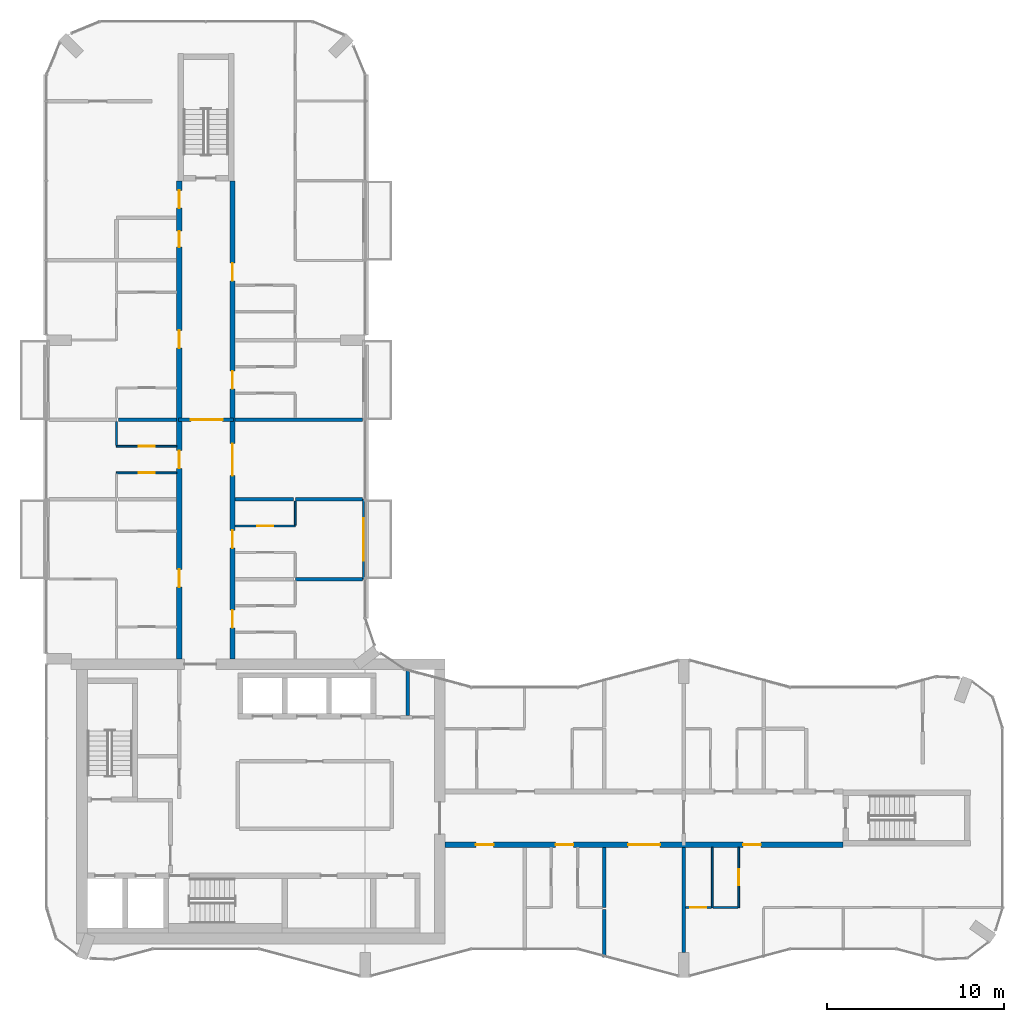
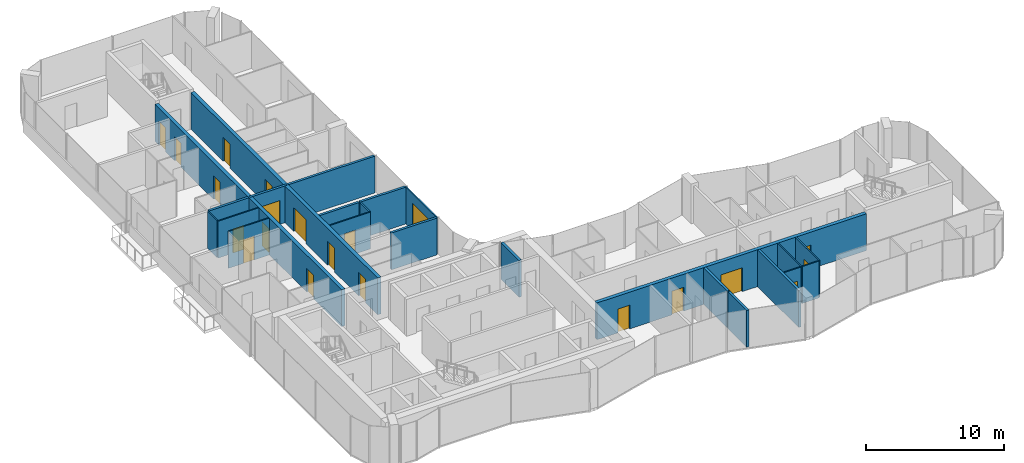
# One storey, part 11 of 17: 23 walls, 21 doors, 21 openings.
"""IFC4 building model written with IfcOpenShell, lengths in metres."""

from ifc_helpers import new_model, si_unit, direction, frame, frame_2d, origin, place, context, subcontext, project, spatial, rectangle, extrude, material, layer, layer_set, type_object, element, fill, save


model = new_model("IFC4")

# Units and contexts
model_context = context("Model", 3, precision=1e-05, world=origin(), true_north=direction((0.0, 1.0)))
body_context = subcontext(model_context, "Body", "Model", "MODEL_VIEW")
ifc_project = project(units=[si_unit("LENGTHUNIT", "METRE"), si_unit("AREAUNIT", "SQUARE_METRE"), si_unit("VOLUMEUNIT", "CUBIC_METRE"), si_unit("PLANEANGLEUNIT", "RADIAN"), si_unit("MASSUNIT", "GRAM", prefix="KILO")], contexts=[model_context])

# Site, building, storey
site_placement = place(None, origin())
site = spatial("IfcSite", under=ifc_project, at=site_placement, CompositionType="ELEMENT")
building_placement = place(site_placement, origin())
building = spatial("IfcBuilding", under=site, at=building_placement, Name="Plateau Cross Towers", CompositionType="ELEMENT")
storey_placement = place(building_placement, frame((0.0, 0.0, 142.89990234375)))
storey = spatial("IfcBuildingStorey", under=building, at=storey_placement, Name="L36", CompositionType="ELEMENT", Elevation=142.89990234375)

# Wall, opening, door
ifc_material_1 = material(Name="Aluminium framed glazing", Category="aluminium")
ifc_layer_1 = layer(ifc_material_1, 0.10009765625)
ifc_layer_set_1 = layer_set([ifc_layer_1], Name="Aluminium framed glazing")
wall_type_1 = type_object("IfcWallType", Name="Balcony screen wall 100", PredefinedType="STANDARD", material=ifc_layer_set_1)
wall_1_placement = place(storey_placement, frame((17.89990234375, 27.0, 0.0), z_axis=(0.0, 0.0, 1.0), x_axis=(0.0, -1.0, 0.0)))
wall_1 = element("IfcWall", 1, at=wall_1_placement, inside=storey, type_object=wall_type_1, Name="Balcony screen wall A-BAL-L36-03", PredefinedType="STANDARD", context=body_context, shape_type="SweptSolid", body=[
    extrude(rectangle(XDim=4.5, YDim=0.10009765625, at=frame_2d((2.25, 0.0))), origin(), (0.0, 0.0, 1.0), 3.25),
])
opening_1_placement = place(wall_1_placement, frame((1.050048828125, 0.0, 0.0)))
opening_1 = element("IfcOpeningElement", 2, at=opening_1_placement, cuts=wall_1, Name="Opening D-B24", PredefinedType="OPENING", context=body_context, shape_type="SweptSolid", body=[
    extrude(rectangle(XDim=2.39990234375, YDim=2.39990234375, at=frame_2d((1.199951171875, 1.199951171875))), frame((0.0, 0.06005859375, 0.0), z_axis=(0.0, -1.0, 0.0), x_axis=(1.0, 0.0, 0.0)), (0.0, 0.0, 1.0), 0.1201171875),
])
ifc_material_2 = material(Name="Aluminium frame, double glazing", Category="aluminium")
door_type_1 = type_object("IfcDoorType", Name="Balcony sliding door 2400", OperationType="NOTDEFINED", PredefinedType="DOOR", material=ifc_material_2)
door_1_placement = place(opening_1_placement, origin())
door_1 = element("IfcDoor", 3, at=door_1_placement, inside=storey, type_object=door_type_1, Name="Balcony door A-BAL-L36-03", OperationType="SINGLE_SWING_LEFT", OverallHeight=2.39990234375, OverallWidth=2.39990234375, PredefinedType="DOOR", context=body_context, shape_type="SweptSolid", body=[
    extrude(rectangle(XDim=2.39990234375, YDim=2.39990234375, at=frame_2d((1.199951171875, 1.199951171875))), frame((0.0, 0.02490234375, 0.0), z_axis=(0.0, -1.0, 0.0), x_axis=(1.0, 0.0, 0.0)), (0.0, 0.0, 1.0), 0.050048828125),
])
fill(opening_1, door_1)

# Wall
ifc_material_3 = material(Name="Concrete block, plastered both sides", Category="concrete")
ifc_layer_2 = layer(ifc_material_3, 0.199951171875)
ifc_layer_set_2 = layer_set([ifc_layer_2], Name="Concrete block, plastered both sides")
wall_type_2 = type_object("IfcWallType", Name="Core partition 200", PredefinedType="PARTITIONING", material=ifc_layer_set_2)
wall_2_placement = place(storey_placement, frame((20.39990234375, 14.800048828125, 0.0), z_axis=(0.0, 0.0, 1.0), x_axis=(0.0, 1.0, 0.0)))
element("IfcWall", 4, at=wall_2_placement, inside=storey, type_object=wall_type_2, Name="Core partition", PredefinedType="PARTITIONING", context=body_context, shape_type="SweptSolid", body=[
    extrude(rectangle(XDim=2.599853515625, YDim=0.199951171875, at=frame_2d((1.2998046875, 0.0))), origin(), (0.0, 0.0, 1.0), 3.25),
])

# Wall, openings, doors
ifc_material_4 = material(Name="Concrete C60/75", Category="concrete")
ifc_layer_3 = layer(ifc_material_4, 0.300048828125)
ifc_layer_set_3 = layer_set([ifc_layer_3], Name="Concrete C60/75")
wall_type_3 = type_object("IfcWallType", Name="Corridor wall 300", PredefinedType="SHEAR", material=ifc_layer_set_3)
wall_3_placement = place(storey_placement, frame((22.5, 7.5, 0.0), z_axis=(0.0, 0.0, 1.0), x_axis=(1.0, 0.0, 0.0)))
wall_3 = element("IfcWall", 5, at=wall_3_placement, inside=storey, type_object=wall_type_3, Name="A-cw-S1@L36", PredefinedType="SHEAR", context=body_context, shape_type="SweptSolid", body=[
    extrude(rectangle(XDim=22.5, YDim=0.300048828125, at=frame_2d((11.25, 0.0))), origin(), (0.0, 0.0, 1.0), 3.25),
])
opening_2_placement = place(wall_3_placement, frame((1.75, 0.0, 0.0)))
opening_2 = element("IfcOpeningElement", 6, at=opening_2_placement, cuts=wall_3, Name="Opening 36-01", PredefinedType="OPENING", context=body_context, shape_type="SweptSolid", body=[
    extrude(rectangle(XDim=1.0, YDim=2.10009765625, at=frame_2d((0.5, 1.050048828125))), frame((0.0, 0.159912109375, 0.0), z_axis=(0.0, -1.0, 0.0), x_axis=(1.0, 0.0, 0.0)), (0.0, 0.0, 1.0), 0.320068359375),
])
opening_3_placement = place(wall_3_placement, frame((6.25, 0.0, 0.0)))
opening_3 = element("IfcOpeningElement", 7, at=opening_3_placement, cuts=wall_3, Name="Opening 36-02", PredefinedType="OPENING", context=body_context, shape_type="SweptSolid", body=[
    extrude(rectangle(XDim=1.0, YDim=2.10009765625, at=frame_2d((0.5, 1.050048828125))), frame((0.0, 0.159912109375, 0.0), z_axis=(0.0, -1.0, 0.0), x_axis=(1.0, 0.0, 0.0)), (0.0, 0.0, 1.0), 0.320068359375),
])
opening_4_placement = place(wall_3_placement, frame((10.35009765625, 0.0, 0.0)))
opening_4 = element("IfcOpeningElement", 8, at=opening_4_placement, cuts=wall_3, Name="Opening 36-03", PredefinedType="OPENING", context=body_context, shape_type="SweptSolid", body=[
    extrude(rectangle(XDim=1.800048828125, YDim=2.10009765625, at=frame_2d((0.89990234375, 1.050048828125))), frame((0.0, 0.159912109375, 0.0), z_axis=(0.0, -1.0, 0.0), x_axis=(1.0, 0.0, 0.0)), (0.0, 0.0, 1.0), 0.320068359375),
])
opening_5_placement = place(wall_3_placement, frame((16.85009765625, 0.0, 0.0)))
opening_5 = element("IfcOpeningElement", 9, at=opening_5_placement, cuts=wall_3, Name="Opening 36-04", PredefinedType="OPENING", context=body_context, shape_type="SweptSolid", body=[
    extrude(rectangle(XDim=1.0, YDim=2.10009765625, at=frame_2d((0.5, 1.050048828125))), frame((0.0, 0.159912109375, 0.0), z_axis=(0.0, -1.0, 0.0), x_axis=(1.0, 0.0, 0.0)), (0.0, 0.0, 1.0), 0.320068359375),
])
ifc_material_5 = material(Name="Timber, fire-resisting leaf", Category="wood")
door_type_2 = type_object("IfcDoorType", Name="Flat entrance door 1000", OperationType="NOTDEFINED", PredefinedType="DOOR", material=ifc_material_5)
door_2_placement = place(opening_2_placement, origin())
door_2 = element("IfcDoor", 10, at=door_2_placement, inside=storey, type_object=door_type_2, Name="Door 36-01", OperationType="SINGLE_SWING_LEFT", OverallHeight=2.10009765625, OverallWidth=1.0, PredefinedType="DOOR", context=body_context, shape_type="SweptSolid", body=[
    extrude(rectangle(XDim=1.0, YDim=2.10009765625, at=frame_2d((0.5, 1.050048828125))), frame((0.0, 0.02490234375, 0.0), z_axis=(0.0, -1.0, 0.0), x_axis=(1.0, 0.0, 0.0)), (0.0, 0.0, 1.0), 0.050048828125),
])
fill(opening_2, door_2)
door_3_placement = place(opening_3_placement, origin())
door_3 = element("IfcDoor", 11, at=door_3_placement, inside=storey, type_object=door_type_2, Name="Door 36-02", OperationType="SINGLE_SWING_LEFT", OverallHeight=2.10009765625, OverallWidth=1.0, PredefinedType="DOOR", context=body_context, shape_type="SweptSolid", body=[
    extrude(rectangle(XDim=1.0, YDim=2.10009765625, at=frame_2d((0.5, 1.050048828125))), frame((0.0, 0.02490234375, 0.0), z_axis=(0.0, -1.0, 0.0), x_axis=(1.0, 0.0, 0.0)), (0.0, 0.0, 1.0), 0.050048828125),
])
fill(opening_3, door_3)
door_4_placement = place(opening_5_placement, origin())
door_4 = element("IfcDoor", 12, at=door_4_placement, inside=storey, type_object=door_type_2, Name="Door 36-04", OperationType="SINGLE_SWING_RIGHT", OverallHeight=2.10009765625, OverallWidth=1.0, PredefinedType="DOOR", context=body_context, shape_type="SweptSolid", body=[
    extrude(rectangle(XDim=1.0, YDim=2.10009765625, at=frame_2d((0.5, 1.050048828125))), frame((0.0, 0.02490234375, 0.0), z_axis=(0.0, -1.0, 0.0), x_axis=(1.0, 0.0, 0.0)), (0.0, 0.0, 1.0), 0.050048828125),
])
fill(opening_5, door_4)
ifc_material_6 = material(Name="Timber, fire-resisting leaves", Category="wood")
door_type_3 = type_object("IfcDoorType", Name="Flat floor fire door pair 1800", OperationType="NOTDEFINED", PredefinedType="DOOR", material=ifc_material_6)
door_5_placement = place(opening_4_placement, origin())
door_5 = element("IfcDoor", 13, at=door_5_placement, inside=storey, type_object=door_type_3, Name="Door 36-03", OperationType="SINGLE_SWING_LEFT", OverallHeight=2.10009765625, OverallWidth=1.800048828125, PredefinedType="DOOR", context=body_context, shape_type="SweptSolid", body=[
    extrude(rectangle(XDim=1.800048828125, YDim=2.10009765625, at=frame_2d((0.89990234375, 1.050048828125))), frame((0.0, 0.02490234375, 0.0), z_axis=(0.0, -1.0, 0.0), x_axis=(1.0, 0.0, 0.0)), (0.0, 0.0, 1.0), 0.050048828125),
])
fill(opening_4, door_5)

wall_4_placement = place(storey_placement, frame((7.5, 18.0, 0.0), z_axis=(0.0, 0.0, 1.0), x_axis=(0.0, 1.0, 0.0)))
wall_4 = element("IfcWall", 14, at=wall_4_placement, inside=storey, type_object=wall_type_3, Name="A-cw-W1@L36", PredefinedType="SHEAR", context=body_context, shape_type="SweptSolid", body=[
    extrude(rectangle(XDim=27.0, YDim=0.300048828125, at=frame_2d((13.5, 0.0))), origin(), (0.0, 0.0, 1.0), 3.25),
])
opening_6_placement = place(wall_4_placement, frame((4.050048828125, 0.0, 0.0)))
opening_6 = element("IfcOpeningElement", 15, at=opening_6_placement, cuts=wall_4, Name="Opening 36-10", PredefinedType="OPENING", context=body_context, shape_type="SweptSolid", body=[
    extrude(rectangle(XDim=1.0, YDim=2.10009765625, at=frame_2d((0.5, 1.050048828125))), frame((0.0, 0.159912109375, 0.0), z_axis=(0.0, -1.0, 0.0), x_axis=(1.0, 0.0, 0.0)), (0.0, 0.0, 1.0), 0.320068359375),
])
opening_7_placement = place(wall_4_placement, frame((10.75, 0.0, 0.0)))
opening_7 = element("IfcOpeningElement", 16, at=opening_7_placement, cuts=wall_4, Name="Opening 36-11", PredefinedType="OPENING", context=body_context, shape_type="SweptSolid", body=[
    extrude(rectangle(XDim=1.0, YDim=2.10009765625, at=frame_2d((0.5, 1.050048828125))), frame((0.0, 0.159912109375, 0.0), z_axis=(0.0, -1.0, 0.0), x_axis=(1.0, 0.0, 0.0)), (0.0, 0.0, 1.0), 0.320068359375),
])
opening_8_placement = place(wall_4_placement, frame((17.550048828125, 0.0, 0.0)))
opening_8 = element("IfcOpeningElement", 17, at=opening_8_placement, cuts=wall_4, Name="Opening 36-12", PredefinedType="OPENING", context=body_context, shape_type="SweptSolid", body=[
    extrude(rectangle(XDim=1.0, YDim=2.10009765625, at=frame_2d((0.5, 1.050048828125))), frame((0.0, 0.159912109375, 0.0), z_axis=(0.0, -1.0, 0.0), x_axis=(1.0, 0.0, 0.0)), (0.0, 0.0, 1.0), 0.320068359375),
])
opening_9_placement = place(wall_4_placement, frame((23.25, 0.0, 0.0)))
opening_9 = element("IfcOpeningElement", 18, at=opening_9_placement, cuts=wall_4, Name="Opening 36-13", PredefinedType="OPENING", context=body_context, shape_type="SweptSolid", body=[
    extrude(rectangle(XDim=0.89990234375, YDim=2.10009765625, at=frame_2d((0.449951171875, 1.050048828125))), frame((0.0, 0.159912109375, 0.0), z_axis=(0.0, -1.0, 0.0), x_axis=(1.0, 0.0, 0.0)), (0.0, 0.0, 1.0), 0.320068359375),
])
opening_10_placement = place(wall_4_placement, frame((25.449951171875, 0.0, 0.0)))
opening_10 = element("IfcOpeningElement", 19, at=opening_10_placement, cuts=wall_4, Name="Opening 36-14", PredefinedType="OPENING", context=body_context, shape_type="SweptSolid", body=[
    extrude(rectangle(XDim=1.0, YDim=2.10009765625, at=frame_2d((0.5, 1.050048828125))), frame((0.0, 0.159912109375, 0.0), z_axis=(0.0, -1.0, 0.0), x_axis=(1.0, 0.0, 0.0)), (0.0, 0.0, 1.0), 0.320068359375),
])
door_6_placement = place(opening_6_placement, origin())
door_6 = element("IfcDoor", 20, at=door_6_placement, inside=storey, type_object=door_type_2, Name="Door 36-10", OperationType="SINGLE_SWING_LEFT", OverallHeight=2.10009765625, OverallWidth=1.0, PredefinedType="DOOR", context=body_context, shape_type="SweptSolid", body=[
    extrude(rectangle(XDim=1.0, YDim=2.10009765625, at=frame_2d((0.5, 1.050048828125))), frame((0.0, 0.02490234375, 0.0), z_axis=(0.0, -1.0, 0.0), x_axis=(1.0, 0.0, 0.0)), (0.0, 0.0, 1.0), 0.050048828125),
])
fill(opening_6, door_6)
door_7_placement = place(opening_7_placement, origin())
door_7 = element("IfcDoor", 21, at=door_7_placement, inside=storey, type_object=door_type_2, Name="Door 36-11", OperationType="SINGLE_SWING_LEFT", OverallHeight=2.10009765625, OverallWidth=1.0, PredefinedType="DOOR", context=body_context, shape_type="SweptSolid", body=[
    extrude(rectangle(XDim=1.0, YDim=2.10009765625, at=frame_2d((0.5, 1.050048828125))), frame((0.0, 0.02490234375, 0.0), z_axis=(0.0, -1.0, 0.0), x_axis=(1.0, 0.0, 0.0)), (0.0, 0.0, 1.0), 0.050048828125),
])
fill(opening_7, door_7)
door_8_placement = place(opening_8_placement, origin())
door_8 = element("IfcDoor", 22, at=door_8_placement, inside=storey, type_object=door_type_2, Name="Door 36-12", OperationType="SINGLE_SWING_RIGHT", OverallHeight=2.10009765625, OverallWidth=1.0, PredefinedType="DOOR", context=body_context, shape_type="SweptSolid", body=[
    extrude(rectangle(XDim=1.0, YDim=2.10009765625, at=frame_2d((0.5, 1.050048828125))), frame((0.0, 0.02490234375, 0.0), z_axis=(0.0, -1.0, 0.0), x_axis=(1.0, 0.0, 0.0)), (0.0, 0.0, 1.0), 0.050048828125),
])
fill(opening_8, door_8)
door_9_placement = place(opening_10_placement, origin())
door_9 = element("IfcDoor", 23, at=door_9_placement, inside=storey, type_object=door_type_2, Name="Door 36-14", OperationType="SINGLE_SWING_RIGHT", OverallHeight=2.10009765625, OverallWidth=1.0, PredefinedType="DOOR", context=body_context, shape_type="SweptSolid", body=[
    extrude(rectangle(XDim=1.0, YDim=2.10009765625, at=frame_2d((0.5, 1.050048828125))), frame((0.0, 0.02490234375, 0.0), z_axis=(0.0, -1.0, 0.0), x_axis=(1.0, 0.0, 0.0)), (0.0, 0.0, 1.0), 0.050048828125),
])
fill(opening_10, door_9)
door_type_4 = type_object("IfcDoorType", Name="Flat floor service door 900", OperationType="NOTDEFINED", PredefinedType="DOOR", material=ifc_material_5)
door_10_placement = place(opening_9_placement, origin())
door_10 = element("IfcDoor", 24, at=door_10_placement, inside=storey, type_object=door_type_4, Name="Door 36-13", OperationType="SINGLE_SWING_RIGHT", OverallHeight=2.10009765625, OverallWidth=0.89990234375, PredefinedType="DOOR", context=body_context, shape_type="SweptSolid", body=[
    extrude(rectangle(XDim=0.89990234375, YDim=2.10009765625, at=frame_2d((0.449951171875, 1.050048828125))), frame((0.0, 0.02490234375, 0.0), z_axis=(0.0, -1.0, 0.0), x_axis=(1.0, 0.0, 0.0)), (0.0, 0.0, 1.0), 0.050048828125),
])
fill(opening_9, door_10)

wall_5_placement = place(storey_placement, frame((10.5, 18.0, 0.0), z_axis=(0.0, 0.0, 1.0), x_axis=(0.0, 1.0, 0.0)))
wall_5 = element("IfcWall", 25, at=wall_5_placement, inside=storey, type_object=wall_type_3, Name="A-cw-W2@L36", PredefinedType="SHEAR", context=body_context, shape_type="SweptSolid", body=[
    extrude(rectangle(XDim=27.0, YDim=0.300048828125, at=frame_2d((13.5, 0.0))), origin(), (0.0, 0.0, 1.0), 3.25),
])
opening_11_placement = place(wall_5_placement, frame((1.75, 0.0, 0.0)))
opening_11 = element("IfcOpeningElement", 26, at=opening_11_placement, cuts=wall_5, Name="Opening 36-15", PredefinedType="OPENING", context=body_context, shape_type="SweptSolid", body=[
    extrude(rectangle(XDim=1.0, YDim=2.10009765625, at=frame_2d((0.5, 1.050048828125))), frame((0.0, 0.159912109375, 0.0), z_axis=(0.0, -1.0, 0.0), x_axis=(1.0, 0.0, 0.0)), (0.0, 0.0, 1.0), 0.320068359375),
])
opening_12_placement = place(wall_5_placement, frame((6.25, 0.0, 0.0)))
opening_12 = element("IfcOpeningElement", 27, at=opening_12_placement, cuts=wall_5, Name="Opening 36-16", PredefinedType="OPENING", context=body_context, shape_type="SweptSolid", body=[
    extrude(rectangle(XDim=1.0, YDim=2.10009765625, at=frame_2d((0.5, 1.050048828125))), frame((0.0, 0.159912109375, 0.0), z_axis=(0.0, -1.0, 0.0), x_axis=(1.0, 0.0, 0.0)), (0.0, 0.0, 1.0), 0.320068359375),
])
opening_13_placement = place(wall_5_placement, frame((10.35009765625, 0.0, 0.0)))
opening_13 = element("IfcOpeningElement", 28, at=opening_13_placement, cuts=wall_5, Name="Opening 36-17", PredefinedType="OPENING", context=body_context, shape_type="SweptSolid", body=[
    extrude(rectangle(XDim=1.800048828125, YDim=2.10009765625, at=frame_2d((0.89990234375, 1.050048828125))), frame((0.0, 0.159912109375, 0.0), z_axis=(0.0, -1.0, 0.0), x_axis=(1.0, 0.0, 0.0)), (0.0, 0.0, 1.0), 0.320068359375),
])
opening_14_placement = place(wall_5_placement, frame((15.25, 0.0, 0.0)))
opening_14 = element("IfcOpeningElement", 29, at=opening_14_placement, cuts=wall_5, Name="Opening 36-18", PredefinedType="OPENING", context=body_context, shape_type="SweptSolid", body=[
    extrude(rectangle(XDim=1.0, YDim=2.10009765625, at=frame_2d((0.5, 1.050048828125))), frame((0.0, 0.159912109375, 0.0), z_axis=(0.0, -1.0, 0.0), x_axis=(1.0, 0.0, 0.0)), (0.0, 0.0, 1.0), 0.320068359375),
])
opening_15_placement = place(wall_5_placement, frame((21.35009765625, 0.0, 0.0)))
opening_15 = element("IfcOpeningElement", 30, at=opening_15_placement, cuts=wall_5, Name="Opening 36-19", PredefinedType="OPENING", context=body_context, shape_type="SweptSolid", body=[
    extrude(rectangle(XDim=1.0, YDim=2.10009765625, at=frame_2d((0.5, 1.050048828125))), frame((0.0, 0.159912109375, 0.0), z_axis=(0.0, -1.0, 0.0), x_axis=(1.0, 0.0, 0.0)), (0.0, 0.0, 1.0), 0.320068359375),
])
door_11_placement = place(opening_11_placement, origin())
door_11 = element("IfcDoor", 31, at=door_11_placement, inside=storey, type_object=door_type_2, Name="Door 36-15", OperationType="SINGLE_SWING_LEFT", OverallHeight=2.10009765625, OverallWidth=1.0, PredefinedType="DOOR", context=body_context, shape_type="SweptSolid", body=[
    extrude(rectangle(XDim=1.0, YDim=2.10009765625, at=frame_2d((0.5, 1.050048828125))), frame((0.0, 0.02490234375, 0.0), z_axis=(0.0, -1.0, 0.0), x_axis=(1.0, 0.0, 0.0)), (0.0, 0.0, 1.0), 0.050048828125),
])
fill(opening_11, door_11)
door_12_placement = place(opening_12_placement, origin())
door_12 = element("IfcDoor", 32, at=door_12_placement, inside=storey, type_object=door_type_2, Name="Door 36-16", OperationType="SINGLE_SWING_LEFT", OverallHeight=2.10009765625, OverallWidth=1.0, PredefinedType="DOOR", context=body_context, shape_type="SweptSolid", body=[
    extrude(rectangle(XDim=1.0, YDim=2.10009765625, at=frame_2d((0.5, 1.050048828125))), frame((0.0, 0.02490234375, 0.0), z_axis=(0.0, -1.0, 0.0), x_axis=(1.0, 0.0, 0.0)), (0.0, 0.0, 1.0), 0.050048828125),
])
fill(opening_12, door_12)
door_13_placement = place(opening_14_placement, origin())
door_13 = element("IfcDoor", 33, at=door_13_placement, inside=storey, type_object=door_type_2, Name="Door 36-18", OperationType="SINGLE_SWING_RIGHT", OverallHeight=2.10009765625, OverallWidth=1.0, PredefinedType="DOOR", context=body_context, shape_type="SweptSolid", body=[
    extrude(rectangle(XDim=1.0, YDim=2.10009765625, at=frame_2d((0.5, 1.050048828125))), frame((0.0, 0.02490234375, 0.0), z_axis=(0.0, -1.0, 0.0), x_axis=(1.0, 0.0, 0.0)), (0.0, 0.0, 1.0), 0.050048828125),
])
fill(opening_14, door_13)
door_14_placement = place(opening_15_placement, origin())
door_14 = element("IfcDoor", 34, at=door_14_placement, inside=storey, type_object=door_type_2, Name="Door 36-19", OperationType="SINGLE_SWING_RIGHT", OverallHeight=2.10009765625, OverallWidth=1.0, PredefinedType="DOOR", context=body_context, shape_type="SweptSolid", body=[
    extrude(rectangle(XDim=1.0, YDim=2.10009765625, at=frame_2d((0.5, 1.050048828125))), frame((0.0, 0.02490234375, 0.0), z_axis=(0.0, -1.0, 0.0), x_axis=(1.0, 0.0, 0.0)), (0.0, 0.0, 1.0), 0.050048828125),
])
fill(opening_15, door_14)
door_15_placement = place(opening_13_placement, origin())
door_15 = element("IfcDoor", 35, at=door_15_placement, inside=storey, type_object=door_type_3, Name="Door 36-17", OperationType="SINGLE_SWING_LEFT", OverallHeight=2.10009765625, OverallWidth=1.800048828125, PredefinedType="DOOR", context=body_context, shape_type="SweptSolid", body=[
    extrude(rectangle(XDim=1.800048828125, YDim=2.10009765625, at=frame_2d((0.89990234375, 1.050048828125))), frame((0.0, 0.02490234375, 0.0), z_axis=(0.0, -1.0, 0.0), x_axis=(1.0, 0.0, 0.0)), (0.0, 0.0, 1.0), 0.050048828125),
])
fill(opening_13, door_15)

# Wall, opening, door
ifc_material_7 = material(Name="Gypsum board on steel studs", Category="steel")
ifc_layer_4 = layer(ifc_material_7, 0.10009765625)
ifc_layer_set_4 = layer_set([ifc_layer_4], Name="Gypsum board on steel studs")
wall_type_4 = type_object("IfcWallType", Name="Flat partition 100", PredefinedType="PARTITIONING", material=ifc_layer_set_4)
wall_6_placement = place(storey_placement, frame((36.10009765625, 3.949951171875, 0.0), z_axis=(0.0, 0.0, 1.0), x_axis=(1.0, 0.0, 0.0)))
wall_6 = element("IfcWall", 36, at=wall_6_placement, inside=storey, type_object=wall_type_4, Name="Partition wall", PredefinedType="PARTITIONING", context=body_context, shape_type="SweptSolid", body=[
    extrude(rectangle(XDim=1.449951171875, YDim=0.10009765625, at=frame_2d((0.72509765625, 0.0))), origin(), (0.0, 0.0, 1.0), 3.25),
])
opening_16_placement = place(wall_6_placement, frame((0.25, 0.0, 0.0)))
opening_16 = element("IfcOpeningElement", 37, at=opening_16_placement, cuts=wall_6, Name="Opening 36-26", PredefinedType="OPENING", context=body_context, shape_type="SweptSolid", body=[
    extrude(rectangle(XDim=0.89990234375, YDim=2.10009765625, at=frame_2d((0.449951171875, 1.050048828125))), frame((0.0, 0.06005859375, 0.0), z_axis=(0.0, -1.0, 0.0), x_axis=(1.0, 0.0, 0.0)), (0.0, 0.0, 1.0), 0.1201171875),
])
ifc_material_8 = material(Name="Timber leaf", Category="wood")
door_type_5 = type_object("IfcDoorType", Name="Flat room door 900", OperationType="NOTDEFINED", PredefinedType="DOOR", material=ifc_material_8)
door_16_placement = place(opening_16_placement, origin())
door_16 = element("IfcDoor", 38, at=door_16_placement, inside=storey, type_object=door_type_5, Name="Door 36-26", OperationType="SINGLE_SWING_LEFT", OverallHeight=2.10009765625, OverallWidth=0.89990234375, PredefinedType="DOOR", context=body_context, shape_type="SweptSolid", body=[
    extrude(rectangle(XDim=0.89990234375, YDim=2.10009765625, at=frame_2d((0.449951171875, 1.050048828125))), frame((0.0, 0.02490234375, 0.0), z_axis=(0.0, -1.0, 0.0), x_axis=(1.0, 0.0, 0.0)), (0.0, 0.0, 1.0), 0.050048828125),
])
fill(opening_16, door_16)

# Wall
wall_7_placement = place(storey_placement, frame((37.64990234375, 3.949951171875, 0.0), z_axis=(0.0, 0.0, 1.0), x_axis=(1.0, 0.0, 0.0)))
element("IfcWall", 39, at=wall_7_placement, inside=storey, type_object=wall_type_4, Name="Partition wall", PredefinedType="PARTITIONING", context=body_context, shape_type="SweptSolid", body=[
    extrude(rectangle(XDim=1.400146484375, YDim=0.10009765625, at=frame_2d((0.7001953125, 0.0))), origin(), (0.0, 0.0, 1.0), 3.25),
])

# Wall, opening, door
wall_8_placement = place(storey_placement, frame((10.64990234375, 25.5, 0.0), z_axis=(0.0, 0.0, 1.0), x_axis=(1.0, 0.0, 0.0)))
wall_8 = element("IfcWall", 40, at=wall_8_placement, inside=storey, type_object=wall_type_4, Name="Partition wall", PredefinedType="PARTITIONING", context=body_context, shape_type="SweptSolid", body=[
    extrude(rectangle(XDim=3.400146484375, YDim=0.10009765625, at=frame_2d((1.7001953125, 0.0))), origin(), (0.0, 0.0, 1.0), 3.25),
])
opening_17_placement = place(wall_8_placement, frame((1.25, 0.0, 0.0)))
opening_17 = element("IfcOpeningElement", 41, at=opening_17_placement, cuts=wall_8, Name="Opening 36-47", PredefinedType="OPENING", context=body_context, shape_type="SweptSolid", body=[
    extrude(rectangle(XDim=0.89990234375, YDim=2.10009765625, at=frame_2d((0.449951171875, 1.050048828125))), frame((0.0, 0.06005859375, 0.0), z_axis=(0.0, -1.0, 0.0), x_axis=(1.0, 0.0, 0.0)), (0.0, 0.0, 1.0), 0.1201171875),
])
door_17_placement = place(opening_17_placement, origin())
door_17 = element("IfcDoor", 42, at=door_17_placement, inside=storey, type_object=door_type_5, Name="Door 36-47", OperationType="SINGLE_SWING_LEFT", OverallHeight=2.10009765625, OverallWidth=0.89990234375, PredefinedType="DOOR", context=body_context, shape_type="SweptSolid", body=[
    extrude(rectangle(XDim=0.89990234375, YDim=2.10009765625, at=frame_2d((0.449951171875, 1.050048828125))), frame((0.0, 0.02490234375, 0.0), z_axis=(0.0, -1.0, 0.0), x_axis=(1.0, 0.0, 0.0)), (0.0, 0.0, 1.0), 0.050048828125),
])
fill(opening_17, door_17)

wall_9_placement = place(storey_placement, frame((7.35009765625, 28.5, 0.0), z_axis=(0.0, 0.0, 1.0), x_axis=(-1.0, 0.0, 0.0)))
wall_9 = element("IfcWall", 43, at=wall_9_placement, inside=storey, type_object=wall_type_4, Name="Partition wall", PredefinedType="PARTITIONING", context=body_context, shape_type="SweptSolid", body=[
    extrude(rectangle(XDim=3.400146484375, YDim=0.10009765625, at=frame_2d((1.7001953125, 0.0))), origin(), (0.0, 0.0, 1.0), 3.25),
])
opening_18_placement = place(wall_9_placement, frame((1.25, 0.0, 0.0)))
opening_18 = element("IfcOpeningElement", 44, at=opening_18_placement, cuts=wall_9, Name="Opening 36-39", PredefinedType="OPENING", context=body_context, shape_type="SweptSolid", body=[
    extrude(rectangle(XDim=0.89990234375, YDim=2.10009765625, at=frame_2d((0.449951171875, 1.050048828125))), frame((0.0, 0.06005859375, 0.0), z_axis=(0.0, -1.0, 0.0), x_axis=(1.0, 0.0, 0.0)), (0.0, 0.0, 1.0), 0.1201171875),
])
door_18_placement = place(opening_18_placement, origin())
door_18 = element("IfcDoor", 45, at=door_18_placement, inside=storey, type_object=door_type_5, Name="Door 36-39", OperationType="SINGLE_SWING_RIGHT", OverallHeight=2.10009765625, OverallWidth=0.89990234375, PredefinedType="DOOR", context=body_context, shape_type="SweptSolid", body=[
    extrude(rectangle(XDim=0.89990234375, YDim=2.10009765625, at=frame_2d((0.449951171875, 1.050048828125))), frame((0.0, 0.02490234375, 0.0), z_axis=(0.0, -1.0, 0.0), x_axis=(1.0, 0.0, 0.0)), (0.0, 0.0, 1.0), 0.050048828125),
])
fill(opening_18, door_18)

wall_10_placement = place(storey_placement, frame((3.949951171875, 30.0, 0.0), z_axis=(0.0, 0.0, 1.0), x_axis=(1.0, 0.0, 0.0)))
wall_10 = element("IfcWall", 46, at=wall_10_placement, inside=storey, type_object=wall_type_4, Name="Partition wall", PredefinedType="PARTITIONING", context=body_context, shape_type="SweptSolid", body=[
    extrude(rectangle(XDim=3.400146484375, YDim=0.10009765625, at=frame_2d((1.7001953125, 0.0))), origin(), (0.0, 0.0, 1.0), 3.25),
])
opening_19_placement = place(wall_10_placement, frame((1.25, 0.0, 0.0)))
opening_19 = element("IfcOpeningElement", 47, at=opening_19_placement, cuts=wall_10, Name="Opening 36-40", PredefinedType="OPENING", context=body_context, shape_type="SweptSolid", body=[
    extrude(rectangle(XDim=0.89990234375, YDim=2.10009765625, at=frame_2d((0.449951171875, 1.050048828125))), frame((0.0, 0.06005859375, 0.0), z_axis=(0.0, -1.0, 0.0), x_axis=(1.0, 0.0, 0.0)), (0.0, 0.0, 1.0), 0.1201171875),
])
door_19_placement = place(opening_19_placement, origin())
door_19 = element("IfcDoor", 48, at=door_19_placement, inside=storey, type_object=door_type_5, Name="Door 36-40", OperationType="SINGLE_SWING_RIGHT", OverallHeight=2.10009765625, OverallWidth=0.89990234375, PredefinedType="DOOR", context=body_context, shape_type="SweptSolid", body=[
    extrude(rectangle(XDim=0.89990234375, YDim=2.10009765625, at=frame_2d((0.449951171875, 1.050048828125))), frame((0.0, 0.02490234375, 0.0), z_axis=(0.0, -1.0, 0.0), x_axis=(1.0, 0.0, 0.0)), (0.0, 0.0, 1.0), 0.050048828125),
])
fill(opening_19, door_19)

# Walls
for number, where, z_axis, x_axis, name in (
    (49, (3.949951171875, 31.39990234375, 0.0), (0.0, 0.0, 1.0), (0.0, -1.0, 0.0), "Partition wall"),
    (50, (14.050048828125, 25.550048828125, 0.0), (0.0, 0.0, 1.0), (0.0, 1.0, 0.0), "Partition wall"),
):
    element("IfcWall", number, at=place(storey_placement, frame(where, z_axis=z_axis, x_axis=x_axis)), inside=storey, type_object=wall_type_4, Name=name, PredefinedType="PARTITIONING", context=body_context, shape_type="SweptSolid", body=[
        extrude(rectangle(XDim=1.349853515625, YDim=0.10009765625, at=frame_2d((0.6748046875, 0.0))), origin(), (0.0, 0.0, 1.0), 3.25),
    ])
wall_11_placement = place(storey_placement, frame((37.60009765625, 3.949951171875, 0.0), z_axis=(0.0, 0.0, 1.0), x_axis=(0.0, 1.0, 0.0)))
element("IfcWall", 51, at=wall_11_placement, inside=storey, type_object=wall_type_4, Name="Partition wall", PredefinedType="PARTITIONING", context=body_context, shape_type="SweptSolid", body=[
    extrude(rectangle(XDim=3.400146484375, YDim=0.10009765625, at=frame_2d((1.7001953125, 0.0))), origin(), (0.0, 0.0, 1.0), 3.25),
])

# Wall, opening, door
wall_12_placement = place(storey_placement, frame((39.10009765625, 3.949951171875, 0.0), z_axis=(0.0, 0.0, 1.0), x_axis=(0.0, 1.0, 0.0)))
wall_12 = element("IfcWall", 52, at=wall_12_placement, inside=storey, type_object=wall_type_4, Name="Partition wall", PredefinedType="PARTITIONING", context=body_context, shape_type="SweptSolid", body=[
    extrude(rectangle(XDim=3.400146484375, YDim=0.10009765625, at=frame_2d((1.7001953125, 0.0))), origin(), (0.0, 0.0, 1.0), 3.25),
])
opening_20_placement = place(wall_12_placement, frame((1.25, 0.0, 0.0)))
opening_20 = element("IfcOpeningElement", 53, at=opening_20_placement, cuts=wall_12, Name="Opening 36-27", PredefinedType="OPENING", context=body_context, shape_type="SweptSolid", body=[
    extrude(rectangle(XDim=0.89990234375, YDim=2.10009765625, at=frame_2d((0.449951171875, 1.050048828125))), frame((0.0, 0.06005859375, 0.0), z_axis=(0.0, -1.0, 0.0), x_axis=(1.0, 0.0, 0.0)), (0.0, 0.0, 1.0), 0.1201171875),
])
door_20_placement = place(opening_20_placement, origin())
door_20 = element("IfcDoor", 54, at=door_20_placement, inside=storey, type_object=door_type_5, Name="Door 36-27", OperationType="SINGLE_SWING_RIGHT", OverallHeight=2.10009765625, OverallWidth=0.89990234375, PredefinedType="DOOR", context=body_context, shape_type="SweptSolid", body=[
    extrude(rectangle(XDim=0.89990234375, YDim=2.10009765625, at=frame_2d((0.449951171875, 1.050048828125))), frame((0.0, 0.02490234375, 0.0), z_axis=(0.0, -1.0, 0.0), x_axis=(1.0, 0.0, 0.0)), (0.0, 0.0, 1.0), 0.050048828125),
])
fill(opening_20, door_20)

# Walls
ifc_material_9 = material(Name="Gypsum board on steel studs, two layers each side", Category="steel")
ifc_layer_5 = layer(ifc_material_9, 0.199951171875)
ifc_layer_set_5 = layer_set([ifc_layer_5], Name="Gypsum board on steel studs, two layers each side")
wall_type_5 = type_object("IfcWallType", Name="Flat party wall 200", PredefinedType="PARTITIONING", material=ifc_layer_set_5)
wall_13_placement = place(storey_placement, frame((14.050048828125, 22.5, 0.0), z_axis=(0.0, 0.0, 1.0), x_axis=(1.0, 0.0, 0.0)))
element("IfcWall", 55, at=wall_13_placement, inside=storey, type_object=wall_type_5, Name="Party wall", PredefinedType="PARTITIONING", context=body_context, shape_type="SweptSolid", body=[
    extrude(rectangle(XDim=3.800048828125, YDim=0.199951171875, at=frame_2d((1.89990234375, 0.0))), origin(), (0.0, 0.0, 1.0), 3.25),
])
wall_14_placement = place(storey_placement, frame((13.949951171875, 27.0, 0.0), z_axis=(0.0, 0.0, 1.0), x_axis=(-1.0, 0.0, 0.0)))
element("IfcWall", 56, at=wall_14_placement, inside=storey, type_object=wall_type_5, Name="Party wall", PredefinedType="PARTITIONING", context=body_context, shape_type="SweptSolid", body=[
    extrude(rectangle(XDim=3.300048828125, YDim=0.199951171875, at=frame_2d((1.64990234375, 0.0))), origin(), (0.0, 0.0, 1.0), 3.25),
])
wall_15_placement = place(storey_placement, frame((14.050048828125, 27.0, 0.0), z_axis=(0.0, 0.0, 1.0), x_axis=(1.0, 0.0, 0.0)))
element("IfcWall", 57, at=wall_15_placement, inside=storey, type_object=wall_type_5, Name="Party wall", PredefinedType="PARTITIONING", context=body_context, shape_type="SweptSolid", body=[
    extrude(rectangle(XDim=3.800048828125, YDim=0.199951171875, at=frame_2d((1.89990234375, 0.0))), origin(), (0.0, 0.0, 1.0), 3.25),
])
wall_16_placement = place(storey_placement, frame((7.35009765625, 31.5, 0.0), z_axis=(0.0, 0.0, 1.0), x_axis=(-1.0, 0.0, 0.0)))
element("IfcWall", 58, at=wall_16_placement, inside=storey, type_object=wall_type_5, Name="Party wall", PredefinedType="PARTITIONING", context=body_context, shape_type="SweptSolid", body=[
    extrude(rectangle(XDim=3.300048828125, YDim=0.199951171875, at=frame_2d((1.64990234375, 0.0))), origin(), (0.0, 0.0, 1.0), 3.25),
])
wall_17_placement = place(storey_placement, frame((17.85009765625, 31.5, 0.0), z_axis=(0.0, 0.0, 1.0), x_axis=(-1.0, 0.0, 0.0)))
element("IfcWall", 59, at=wall_17_placement, inside=storey, type_object=wall_type_5, Name="Party wall", PredefinedType="PARTITIONING", context=body_context, shape_type="SweptSolid", body=[
    extrude(rectangle(XDim=7.2001953125, YDim=0.199951171875, at=frame_2d((3.60009765625, 0.0))), origin(), (0.0, 0.0, 1.0), 3.25),
])
wall_18_placement = place(storey_placement, frame((31.5, 3.85009765625, 0.0), z_axis=(0.0, 0.0, 1.0), x_axis=(0.0, -1.0, 0.0)))
element("IfcWall", 60, at=wall_18_placement, inside=storey, type_object=wall_type_5, Name="Party wall", PredefinedType="PARTITIONING", context=body_context, shape_type="SweptSolid", body=[
    extrude(rectangle(XDim=2.727783203125, YDim=0.199951171875, at=frame_2d((1.36376953125, 0.0))), origin(), (0.0, 0.0, 1.0), 3.25),
])
wall_19_placement = place(storey_placement, frame((31.5, 3.949951171875, 0.0), z_axis=(0.0, 0.0, 1.0), x_axis=(0.0, 1.0, 0.0)))
element("IfcWall", 61, at=wall_19_placement, inside=storey, type_object=wall_type_5, Name="Party wall", PredefinedType="PARTITIONING", context=body_context, shape_type="SweptSolid", body=[
    extrude(rectangle(XDim=3.400146484375, YDim=0.199951171875, at=frame_2d((1.7001953125, 0.0))), origin(), (0.0, 0.0, 1.0), 3.25),
])
wall_20_placement = place(storey_placement, frame((36.0, 1.39990234375, 0.0), z_axis=(0.0, 0.0, 1.0), x_axis=(0.0, 1.0, 0.0)))
element("IfcWall", 62, at=wall_20_placement, inside=storey, type_object=wall_type_5, Name="Party wall", PredefinedType="PARTITIONING", context=body_context, shape_type="SweptSolid", body=[
    extrude(rectangle(XDim=5.9501953125, YDim=0.199951171875, at=frame_2d((2.97509765625, 0.0))), origin(), (0.0, 0.0, 1.0), 3.25),
])

# Wall, opening, door
wall_21_placement = place(storey_placement, frame((7.449951171875, 31.5, 0.0), z_axis=(0.0, 0.0, 1.0), x_axis=(1.0, 0.0, 0.0)))
wall_21 = element("IfcWall", 63, at=wall_21_placement, inside=storey, type_object=wall_type_5, Name="Party wall", PredefinedType="PARTITIONING", context=body_context, shape_type="SweptSolid", body=[
    extrude(rectangle(XDim=3.10009765625, YDim=0.199951171875, at=frame_2d((1.550048828125, 0.0))), origin(), (0.0, 0.0, 1.0), 3.25),
])
opening_21_placement = place(wall_21_placement, frame((0.699951171875, 0.0, 0.0)))
opening_21 = element("IfcOpeningElement", 64, at=opening_21_placement, cuts=wall_21, Name="Opening 36-21", PredefinedType="OPENING", context=body_context, shape_type="SweptSolid", body=[
    extrude(rectangle(XDim=1.800048828125, YDim=2.10009765625, at=frame_2d((0.89990234375, 1.050048828125))), frame((0.0, 0.10986328125, 0.0), z_axis=(0.0, -1.0, 0.0), x_axis=(1.0, 0.0, 0.0)), (0.0, 0.0, 1.0), 0.219970703125),
])
door_21_placement = place(opening_21_placement, origin())
door_21 = element("IfcDoor", 65, at=door_21_placement, inside=storey, type_object=door_type_3, Name="Door 36-21", OperationType="SINGLE_SWING_RIGHT", OverallHeight=2.10009765625, OverallWidth=1.800048828125, PredefinedType="DOOR", context=body_context, shape_type="SweptSolid", body=[
    extrude(rectangle(XDim=1.800048828125, YDim=2.10009765625, at=frame_2d((0.89990234375, 1.050048828125))), frame((0.0, 0.02490234375, 0.0), z_axis=(0.0, -1.0, 0.0), x_axis=(1.0, 0.0, 0.0)), (0.0, 0.0, 1.0), 0.050048828125),
])
fill(opening_21, door_21)

save(model, "model.ifc")
